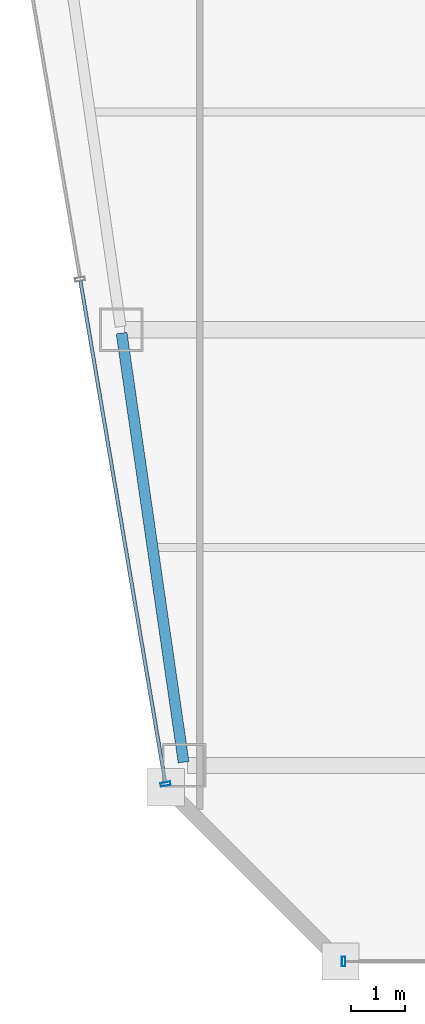
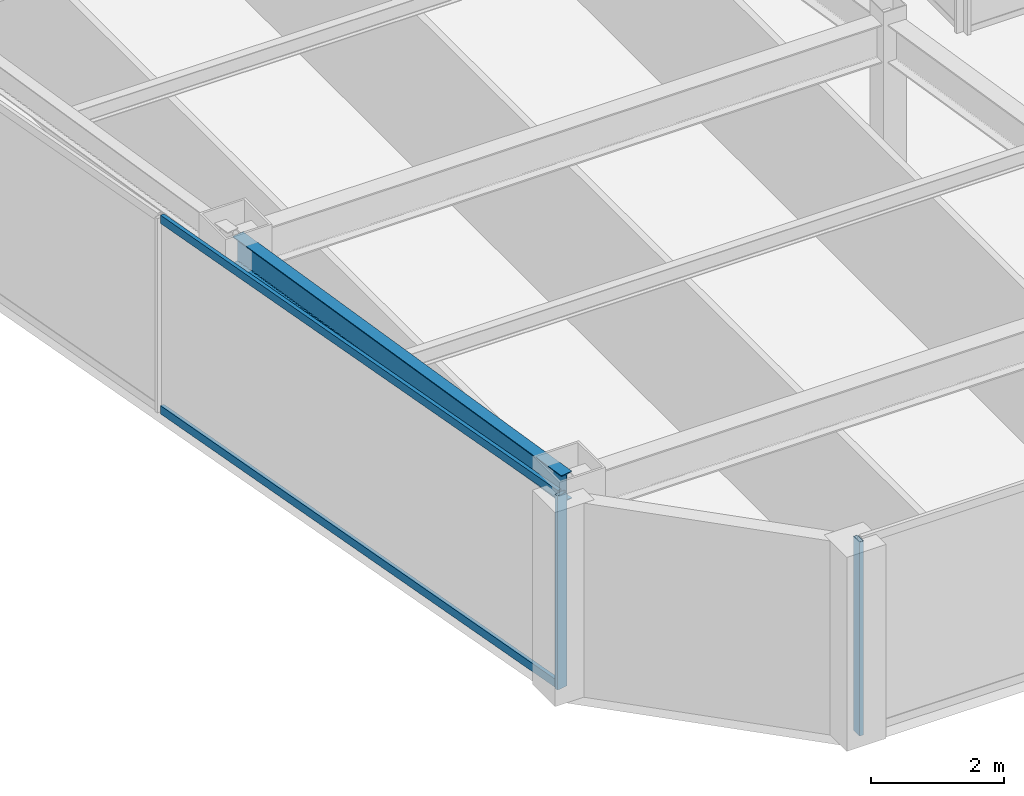
# One storey, part 3 of 36: 4 members, 1 beam, 2 elements without a shape of their own.
"""IFC4 building model written with IfcOpenShell, lengths in metres."""

from ifc_helpers import new_model, si_unit, direction, frame, origin, origin_2d, place, context, subcontext, project, spatial, hollow_rectangle, i_section, extrude, material, material_profile, profile_set, type_object, element, aggregate, save


model = new_model("IFC4")

# Units and contexts
model_context = context("Model", 3, precision=1e-05, world=origin(), true_north=direction((0.0, 1.0)))
body_context = subcontext(model_context, "Body", "Model", "MODEL_VIEW")
ifc_project = project(units=[si_unit("LENGTHUNIT", "METRE"), si_unit("AREAUNIT", "SQUARE_METRE"), si_unit("VOLUMEUNIT", "CUBIC_METRE"), si_unit("PLANEANGLEUNIT", "RADIAN"), si_unit("MASSUNIT", "GRAM", prefix="KILO")], contexts=[model_context])

# Site, building, storey
site_placement = place(None, origin())
site = spatial("IfcSite", under=ifc_project, at=site_placement, CompositionType="ELEMENT")
building_placement = place(site_placement, origin())
building = spatial("IfcBuilding", under=site, at=building_placement, Name="Saevonmaru Cultural Tower", CompositionType="ELEMENT")
storey_placement = place(building_placement, frame((0.0, 0.0, 198.0)))
storey = spatial("IfcBuildingStorey", under=building, at=storey_placement, Name="L45", CompositionType="ELEMENT", Elevation=198.0)

# Beam
ifc_material_1 = material(Name="Steel SM355", Category="steel")
ifc_material_profile_1 = material_profile(ifc_material_1, i_section(OverallWidth=0.199951171875, OverallDepth=0.5, WebThickness=0.010009765625, FlangeThickness=0.01611328125, FilletRadius=0.02001953125, at=origin_2d()), Name="H-500x200x10x16")
ifc_profile_set_1 = profile_set([ifc_material_profile_1], Name="Steel SM355")
beam_type = type_object("IfcBeamType", Name="BM-SP-H500", PredefinedType="SPANDREL", material=ifc_profile_set_1)
beam_placement = place(storey_placement, frame((10.619384765625, 16.059326171875, 3.300048828125), z_axis=(-0.142992129437, 0.989723825579, 0.0), x_axis=(-0.989723825579, -0.142992129437, 0.0)))
element("IfcBeam", 1, at=beam_placement, inside=storey, type_object=beam_type, Name="L45 West Splayed Spandrel 1", PredefinedType="SPANDREL", context=body_context, shape_type="SweptSolid", body=[
    extrude(i_section(OverallWidth=0.199951171875, OverallDepth=0.5, WebThickness=0.010009765625, FlangeThickness=0.01611328125, FilletRadius=0.02001953125, at=origin_2d()), origin(), (0.0, 0.0, 1.0), 7.963134765625),
])

# Curtain wall, member
ifc_material_2 = material(Name="Satin Bronze Anodised Aluminium", Category="aluminium")
curtain_wall_type = type_object("IfcCurtainWallType", Name="CW-TYP-B", PredefinedType="NOTDEFINED", material=ifc_material_2)
curtain_wall_1_placement = place(storey_placement, origin())
curtain_wall_1 = element("IfcCurtainWall", 2, at=curtain_wall_1_placement, inside=storey, type_object=curtain_wall_type, Name="L45 Unitised Curtain Wall E2", PredefinedType="NOTDEFINED")
ifc_material_profile_2 = material_profile(ifc_material_2, hollow_rectangle(XDim=0.06494140625, YDim=0.179931640625, WallThickness=0.00390625, at=origin_2d()), Name="ALU-MULL-180x65x4")
ifc_profile_set_2 = profile_set([ifc_material_profile_2], Name="Satin Bronze Anodised Aluminium")
member_type_1 = type_object("IfcMemberType", Name="ML-CW-180x65", PredefinedType="MULLION", material=ifc_profile_set_2)
member_1_placement = place(storey_placement, frame((13.557861328125, 12.39990234375, 0.0), z_axis=(0.0, 0.0, 1.0), x_axis=(1.0, 0.0, 0.0)))
member_1 = element("IfcMember", 3, at=member_1_placement, type_object=member_type_1, Name="CW-TW-L45-E2 mullion 1", PredefinedType="MULLION", context=body_context, shape_type="SweptSolid", body=[
    extrude(hollow_rectangle(XDim=0.06494140625, YDim=0.179931640625, WallThickness=0.00390625, at=origin_2d()), origin(), (0.0, 0.0, 1.0), 3.550048828125),
])
aggregate(curtain_wall_1, [member_1])

# Curtain wall, members
curtain_wall_2_placement = place(storey_placement, origin())
curtain_wall_2 = element("IfcCurtainWall", 4, at=curtain_wall_2_placement, inside=storey, type_object=curtain_wall_type, Name="L45 Unitised Curtain Wall E12", PredefinedType="NOTDEFINED")
member_2_placement = place(storey_placement, frame((10.287841796875, 15.6591796875, 0.0), z_axis=(0.0, 0.0, 1.0), x_axis=(0.16692169721, -0.985970155228, 0.0)))
member_2 = element("IfcMember", 5, at=member_2_placement, type_object=member_type_1, Name="CW-TW-L45-E12 mullion 5", PredefinedType="MULLION", context=body_context, shape_type="SweptSolid", body=[
    extrude(hollow_rectangle(XDim=0.06494140625, YDim=0.179931640625, WallThickness=0.00390625, at=origin_2d()), origin(), (0.0, 0.0, 1.0), 3.550048828125),
])
ifc_material_profile_3 = material_profile(ifc_material_2, hollow_rectangle(XDim=0.06494140625, YDim=0.14990234375, WallThickness=0.00390625, at=origin_2d()), Name="ALU-TRAN-150x65x4")
ifc_profile_set_3 = profile_set([ifc_material_profile_3], Name="Satin Bronze Anodised Aluminium")
member_type_2 = type_object("IfcMemberType", Name="TR-CW-150x65", PredefinedType="USERDEFINED", material=ifc_profile_set_3)
member_3_placement = place(storey_placement, frame((8.723876953125, 24.8974609375, 0.032470703125), z_axis=(0.166921263871, -0.985970228591, 0.0), x_axis=(0.985970228591, 0.166921263871, 0.0)))
member_3 = element("IfcMember", 6, at=member_3_placement, type_object=member_type_2, Name="CW-TW-L45-E12 transom 4.1", ObjectType="TRANSOM", PredefinedType="USERDEFINED", context=body_context, shape_type="SweptSolid", body=[
    extrude(hollow_rectangle(XDim=0.06494140625, YDim=0.14990234375, WallThickness=0.00390625, at=origin_2d()), origin(), (0.0, 0.0, 1.0), 9.33740234375),
])
member_4_placement = place(storey_placement, frame((8.723876953125, 24.8974609375, 3.517578125), z_axis=(0.166921263871, -0.985970228591, 0.0), x_axis=(0.985970228591, 0.166921263871, 0.0)))
member_4 = element("IfcMember", 7, at=member_4_placement, type_object=member_type_2, Name="CW-TW-L45-E12 transom 4.2", ObjectType="TRANSOM", PredefinedType="USERDEFINED", context=body_context, shape_type="SweptSolid", body=[
    extrude(hollow_rectangle(XDim=0.06494140625, YDim=0.14990234375, WallThickness=0.00390625, at=origin_2d()), origin(), (0.0, 0.0, 1.0), 9.33740234375),
])
aggregate(curtain_wall_2, [member_2, member_3, member_4])

save(model, "model.ifc")
